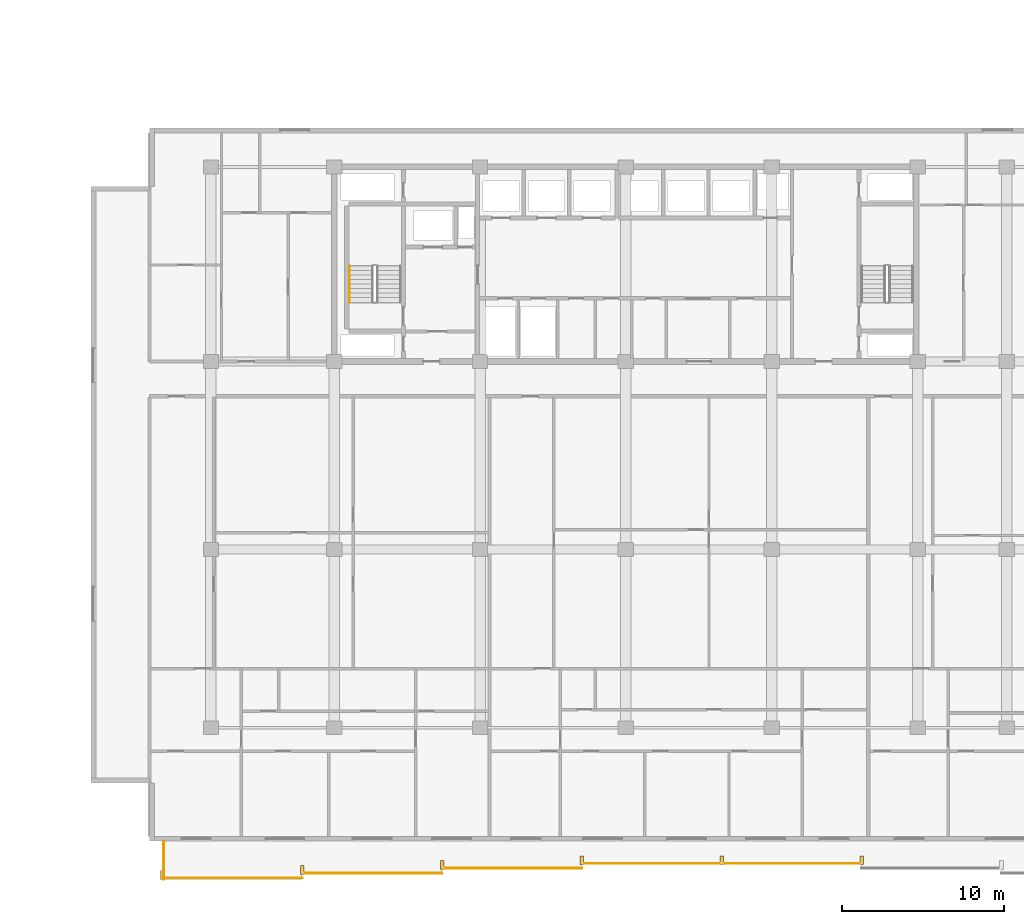
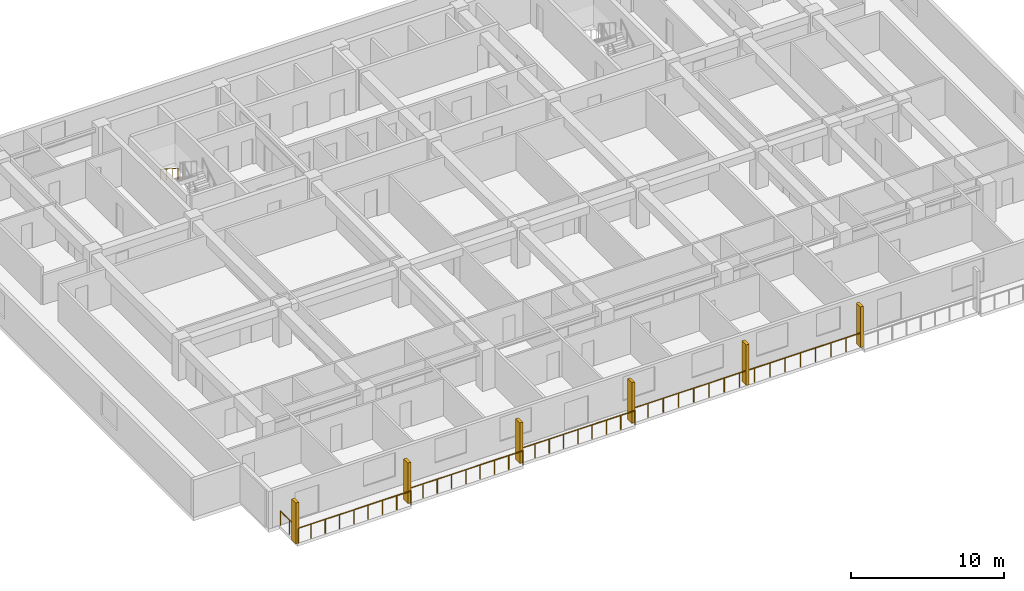
# One storey, part 19 of 23: 6 railings, 6 shading devices.
"""IFC4 building model written with IfcOpenShell, lengths in metres."""

from ifc_helpers import new_model, si_unit, direction, frame, origin, origin_2d, place, context, subcontext, project, spatial, rectangle, circle, extrude, material, type_object, element, save


model = new_model("IFC4")

# Units and contexts
model_context = context("Model", 3, precision=1e-05, world=origin(), true_north=direction((0.0, 1.0)))
body_context = subcontext(model_context, "Body", "Model", "MODEL_VIEW")
ifc_project = project(units=[si_unit("LENGTHUNIT", "METRE"), si_unit("AREAUNIT", "SQUARE_METRE"), si_unit("VOLUMEUNIT", "CUBIC_METRE"), si_unit("PLANEANGLEUNIT", "RADIAN"), si_unit("MASSUNIT", "GRAM", prefix="KILO")], contexts=[model_context])

# Site, building, storey
site_placement = place(None, origin())
site = spatial("IfcSite", under=ifc_project, at=site_placement, CompositionType="ELEMENT")
building_placement = place(site_placement, origin())
building = spatial("IfcBuilding", under=site, at=building_placement, Name="Korimba Cascade Residences", CompositionType="ELEMENT")
storey_placement = place(building_placement, frame((0.0, 0.0, 56.5)))
storey = spatial("IfcBuildingStorey", under=building, at=storey_placement, Name="L15", CompositionType="ELEMENT", Elevation=56.5)

# Railings
ifc_material_1 = material(Name="Laminated Glass and Bronze Balustrade", Category="glass")
railing_type_1 = type_object("IfcRailingType", Name="RLG-LOG-1150", PredefinedType="BALUSTRADE", material=ifc_material_1)
railing_1_placement = place(storey_placement, frame((71.5, -13.469970703125, 0.0)))
element("IfcRailing", 1, at=railing_1_placement, inside=storey, type_object=railing_type_1, Name="L15 Perimeter Guardrail RLG-L15-T2-LOG-01", PredefinedType="BALUSTRADE", context=body_context, shape_type="SweptSolid", body=[
    extrude(circle(Radius=0.02392578125, at=origin_2d()), frame((0.0, 0.0, 1.1259765625), z_axis=(1.0, 0.0, 0.0), x_axis=(0.0, 1.0, 0.0)), (0.0, 0.0, 1.0), 8.628662109375),
    extrude(circle(Radius=0.02099609375, at=origin_2d()), origin(), (0.0, 0.0, 1.0), 1.101806640625),
    extrude(circle(Radius=0.02099609375, at=origin_2d()), frame((1.07861328125, 0.0, 0.0)), (0.0, 0.0, 1.0), 1.101806640625),
    extrude(circle(Radius=0.02099609375, at=origin_2d()), frame((2.1572265625, 0.0, 0.0)), (0.0, 0.0, 1.0), 1.101806640625),
    extrude(circle(Radius=0.02099609375, at=origin_2d()), frame((3.23583984375, 0.0, 0.0)), (0.0, 0.0, 1.0), 1.101806640625),
    extrude(circle(Radius=0.02099609375, at=origin_2d()), frame((4.314453125, 0.0, 0.0)), (0.0, 0.0, 1.0), 1.101806640625),
    extrude(circle(Radius=0.02099609375, at=origin_2d()), frame((5.392822265625, 0.0, 0.0)), (0.0, 0.0, 1.0), 1.101806640625),
    extrude(circle(Radius=0.02099609375, at=origin_2d()), frame((6.471435546875, 0.0, 0.0)), (0.0, 0.0, 1.0), 1.101806640625),
    extrude(circle(Radius=0.02099609375, at=origin_2d()), frame((7.550048828125, 0.0, 0.0)), (0.0, 0.0, 1.0), 1.101806640625),
    extrude(circle(Radius=0.02099609375, at=origin_2d()), frame((8.628662109375, 0.0, 0.0)), (0.0, 0.0, 1.0), 1.101806640625),
])
railing_2_placement = place(storey_placement, frame((80.128662109375, -13.169921875, 0.0)))
element("IfcRailing", 2, at=railing_2_placement, inside=storey, type_object=railing_type_1, Name="L15 Perimeter Guardrail RLG-L15-T2-LOG-02", PredefinedType="BALUSTRADE", context=body_context, shape_type="SweptSolid", body=[
    extrude(circle(Radius=0.02392578125, at=origin_2d()), frame((0.0, 0.0, 1.1259765625), z_axis=(1.0, 0.0, 0.0), x_axis=(0.0, 1.0, 0.0)), (0.0, 0.0, 1.0), 8.62841796875),
    extrude(circle(Radius=0.02099609375, at=origin_2d()), origin(), (0.0, 0.0, 1.0), 1.101806640625),
    extrude(circle(Radius=0.02099609375, at=origin_2d()), frame((1.07861328125, 0.0, 0.0)), (0.0, 0.0, 1.0), 1.101806640625),
    extrude(circle(Radius=0.02099609375, at=origin_2d()), frame((2.1572265625, 0.0, 0.0)), (0.0, 0.0, 1.0), 1.101806640625),
    extrude(circle(Radius=0.02099609375, at=origin_2d()), frame((3.235595703125, 0.0, 0.0)), (0.0, 0.0, 1.0), 1.101806640625),
    extrude(circle(Radius=0.02099609375, at=origin_2d()), frame((4.314208984375, 0.0, 0.0)), (0.0, 0.0, 1.0), 1.101806640625),
    extrude(circle(Radius=0.02099609375, at=origin_2d()), frame((5.392822265625, 0.0, 0.0)), (0.0, 0.0, 1.0), 1.101806640625),
    extrude(circle(Radius=0.02099609375, at=origin_2d()), frame((6.47119140625, 0.0, 0.0)), (0.0, 0.0, 1.0), 1.101806640625),
    extrude(circle(Radius=0.02099609375, at=origin_2d()), frame((7.5498046875, 0.0, 0.0)), (0.0, 0.0, 1.0), 1.101806640625),
    extrude(circle(Radius=0.02099609375, at=origin_2d()), frame((8.62841796875, 0.0, 0.0)), (0.0, 0.0, 1.0), 1.101806640625),
])
railing_3_placement = place(storey_placement, frame((88.757080078125, -12.8701171875, 0.0)))
element("IfcRailing", 3, at=railing_3_placement, inside=storey, type_object=railing_type_1, Name="L15 Perimeter Guardrail RLG-L15-T2-LOG-03", PredefinedType="BALUSTRADE", context=body_context, shape_type="SweptSolid", body=[
    extrude(circle(Radius=0.02392578125, at=origin_2d()), frame((0.0, 0.0, 1.1259765625), z_axis=(1.0, 0.0, 0.0), x_axis=(0.0, 1.0, 0.0)), (0.0, 0.0, 1.0), 8.628662109375),
    extrude(circle(Radius=0.02099609375, at=origin_2d()), origin(), (0.0, 0.0, 1.0), 1.101806640625),
    extrude(circle(Radius=0.02099609375, at=origin_2d()), frame((1.07861328125, 0.0, 0.0)), (0.0, 0.0, 1.0), 1.101806640625),
    extrude(circle(Radius=0.02099609375, at=origin_2d()), frame((2.1572265625, 0.0, 0.0)), (0.0, 0.0, 1.0), 1.101806640625),
    extrude(circle(Radius=0.02099609375, at=origin_2d()), frame((3.23583984375, 0.0, 0.0)), (0.0, 0.0, 1.0), 1.101806640625),
    extrude(circle(Radius=0.02099609375, at=origin_2d()), frame((4.314453125, 0.0, 0.0)), (0.0, 0.0, 1.0), 1.101806640625),
    extrude(circle(Radius=0.02099609375, at=origin_2d()), frame((5.392822265625, 0.0, 0.0)), (0.0, 0.0, 1.0), 1.101806640625),
    extrude(circle(Radius=0.02099609375, at=origin_2d()), frame((6.471435546875, 0.0, 0.0)), (0.0, 0.0, 1.0), 1.101806640625),
    extrude(circle(Radius=0.02099609375, at=origin_2d()), frame((7.550048828125, 0.0, 0.0)), (0.0, 0.0, 1.0), 1.101806640625),
    extrude(circle(Radius=0.02099609375, at=origin_2d()), frame((8.628662109375, 0.0, 0.0)), (0.0, 0.0, 1.0), 1.101806640625),
])
railing_4_placement = place(storey_placement, frame((97.3857421875, -12.570068359375, 0.0)))
element("IfcRailing", 4, at=railing_4_placement, inside=storey, type_object=railing_type_1, Name="L15 Perimeter Guardrail RLG-L15-T2-LOG-04", PredefinedType="BALUSTRADE", context=body_context, shape_type="SweptSolid", body=[
    extrude(circle(Radius=0.02392578125, at=origin_2d()), frame((0.0, 0.0, 1.1259765625), z_axis=(1.0, 0.0, 0.0), x_axis=(0.0, 1.0, 0.0)), (0.0, 0.0, 1.0), 17.257080078125),
    extrude(circle(Radius=0.02099609375, at=origin_2d()), origin(), (0.0, 0.0, 1.0), 1.101806640625),
    extrude(circle(Radius=0.02099609375, at=origin_2d()), frame((1.150390625, 0.0, 0.0)), (0.0, 0.0, 1.0), 1.101806640625),
    extrude(circle(Radius=0.02099609375, at=origin_2d()), frame((2.301025390625, 0.0, 0.0)), (0.0, 0.0, 1.0), 1.101806640625),
    extrude(circle(Radius=0.02099609375, at=origin_2d()), frame((3.451416015625, 0.0, 0.0)), (0.0, 0.0, 1.0), 1.101806640625),
    extrude(circle(Radius=0.02099609375, at=origin_2d()), frame((4.601806640625, 0.0, 0.0)), (0.0, 0.0, 1.0), 1.101806640625),
    extrude(circle(Radius=0.02099609375, at=origin_2d()), frame((5.75244140625, 0.0, 0.0)), (0.0, 0.0, 1.0), 1.101806640625),
    extrude(circle(Radius=0.02099609375, at=origin_2d()), frame((6.90283203125, 0.0, 0.0)), (0.0, 0.0, 1.0), 1.101806640625),
    extrude(circle(Radius=0.02099609375, at=origin_2d()), frame((8.05322265625, 0.0, 0.0)), (0.0, 0.0, 1.0), 1.101806640625),
    extrude(circle(Radius=0.02099609375, at=origin_2d()), frame((9.203857421875, 0.0, 0.0)), (0.0, 0.0, 1.0), 1.101806640625),
    extrude(circle(Radius=0.02099609375, at=origin_2d()), frame((10.354248046875, 0.0, 0.0)), (0.0, 0.0, 1.0), 1.101806640625),
    extrude(circle(Radius=0.02099609375, at=origin_2d()), frame((11.504638671875, 0.0, 0.0)), (0.0, 0.0, 1.0), 1.101806640625),
    extrude(circle(Radius=0.02099609375, at=origin_2d()), frame((12.6552734375, 0.0, 0.0)), (0.0, 0.0, 1.0), 1.101806640625),
    extrude(circle(Radius=0.02099609375, at=origin_2d()), frame((13.8056640625, 0.0, 0.0)), (0.0, 0.0, 1.0), 1.101806640625),
    extrude(circle(Radius=0.02099609375, at=origin_2d()), frame((14.9560546875, 0.0, 0.0)), (0.0, 0.0, 1.0), 1.101806640625),
    extrude(circle(Radius=0.02099609375, at=origin_2d()), frame((16.106689453125, 0.0, 0.0)), (0.0, 0.0, 1.0), 1.101806640625),
    extrude(circle(Radius=0.02099609375, at=origin_2d()), frame((17.257080078125, 0.0, 0.0)), (0.0, 0.0, 1.0), 1.101806640625),
])
railing_5_placement = place(storey_placement, frame((71.580078125, -11.199951171875, 0.0)))
element("IfcRailing", 5, at=railing_5_placement, inside=storey, type_object=railing_type_1, Name="L15 Perimeter Guardrail RLG-L15-T2-LOG-08", PredefinedType="BALUSTRADE", context=body_context, shape_type="SweptSolid", body=[
    extrude(circle(Radius=0.02392578125, at=origin_2d()), frame((0.0, 0.0, 1.1259765625), z_axis=(0.0, -1.0, 0.0), x_axis=(1.0, 0.0, 0.0)), (0.0, 0.0, 1.0), 2.35009765625),
    extrude(circle(Radius=0.02099609375, at=origin_2d()), origin(), (0.0, 0.0, 1.0), 1.101806640625),
    extrude(circle(Radius=0.02099609375, at=origin_2d()), frame((0.0, -1.175048828125, 0.0)), (0.0, 0.0, 1.0), 1.101806640625),
    extrude(circle(Radius=0.02099609375, at=origin_2d()), frame((0.0, -2.35009765625, 0.0)), (0.0, 0.0, 1.0), 1.101806640625),
])
ifc_material_2 = material(Name="Brushed Stainless Steel Handrail", Category="steel")
railing_type_2 = type_object("IfcRailingType", Name="RLG-ST-HR900", PredefinedType="HANDRAIL", material=ifc_material_2)
railing_6_placement = place(storey_placement, frame((83.050048828125, 24.2900390625, 1.989990234375)))
element("IfcRailing", 6, at=railing_6_placement, inside=storey, type_object=railing_type_2, Name="L15 ST-E1 stair handrail 2", PredefinedType="HANDRAIL", context=body_context, shape_type="SweptSolid", body=[
    extrude(circle(Radius=0.02392578125, at=origin_2d()), frame((0.0, 0.0, 0.8759765625), z_axis=(0.0, -0.840436612492, 0.541909863706), x_axis=(1.0, 0.0, 0.0)), (0.0, 0.0, 1.0), 2.665283203125),
    extrude(circle(Radius=0.02099609375, at=origin_2d()), origin(), (0.0, 0.0, 1.0), 0.851806640625),
    extrude(circle(Radius=0.02099609375, at=origin_2d()), frame((0.0, -0.74658203125, 0.4814453125)), (0.0, 0.0, 1.0), 0.851806640625),
    extrude(circle(Radius=0.02099609375, at=origin_2d()), frame((0.0, -1.493408203125, 0.962890625)), (0.0, 0.0, 1.0), 0.851806640625),
    extrude(circle(Radius=0.02099609375, at=origin_2d()), frame((0.0, -2.239990234375, 1.4443359375)), (0.0, 0.0, 1.0), 0.851806640625),
])

# Shading devices
ifc_material_3 = material(Name="Honed Sandstone Precast Fin", Category="masonry")
shading_device_type = type_object("IfcShadingDeviceType", Name="SHD-FIN-550", PredefinedType="USERDEFINED", material=ifc_material_3)
for number, where, z_axis, x_axis, name in (
    (7, (71.5, -13.27490234375, 0.0), (0.0, 0.0, 1.0), (1.0, 0.0, 0.0), "L15 T2 Warm-Stone Loggia Fin 1"),
    (8, (80.128662109375, -12.97509765625, 0.0), (0.0, 0.0, 1.0), (1.0, 0.0, 0.0), "L15 T2 Warm-Stone Loggia Fin 2"),
    (9, (88.757080078125, -12.675048828125, 0.0), (0.0, 0.0, 1.0), (1.0, 0.0, 0.0), "L15 T2 Warm-Stone Loggia Fin 3"),
    (10, (97.3857421875, -12.375, 0.0), (0.0, 0.0, 1.0), (1.0, 0.0, 0.0), "L15 T2 Warm-Stone Loggia Fin 4"),
    (11, (106.014404296875, -12.375, 0.0), (0.0, 0.0, 1.0), (1.0, 0.0, 0.0), "L15 T2 Warm-Stone Loggia Fin 5"),
    (12, (114.642822265625, -12.375, 0.0), (0.0, 0.0, 1.0), (1.0, 0.0, 0.0), "L15 T2 Warm-Stone Loggia Fin 6"),
):
    element("IfcShadingDevice", number, at=place(storey_placement, frame(where, z_axis=z_axis, x_axis=x_axis)), inside=storey, type_object=shading_device_type, Name=name, ObjectType="FIN", PredefinedType="USERDEFINED", context=body_context, shape_type="SweptSolid", body=[
        extrude(rectangle(XDim=0.219970703125, YDim=0.550048828125, at=origin_2d()), origin(), (0.0, 0.0, 1.0), 3.25),
    ])

save(model, "model.ifc")
